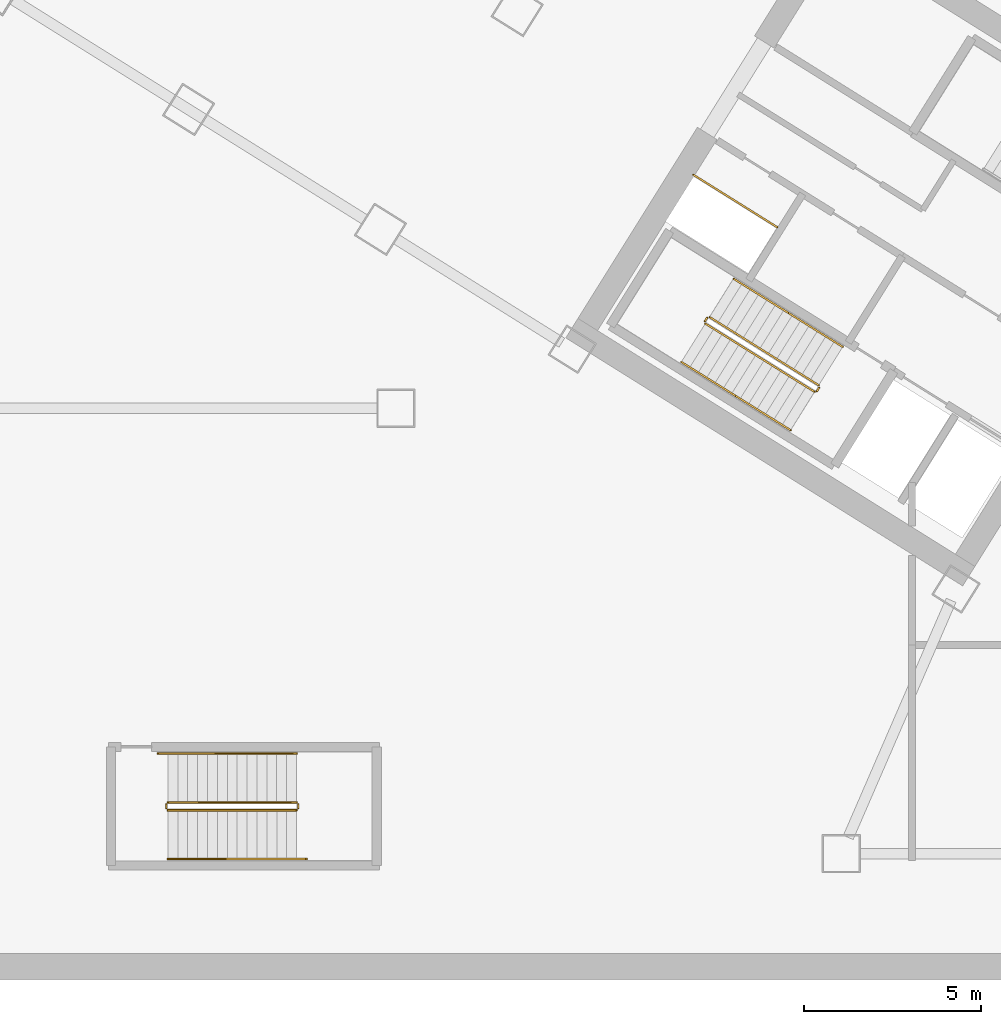
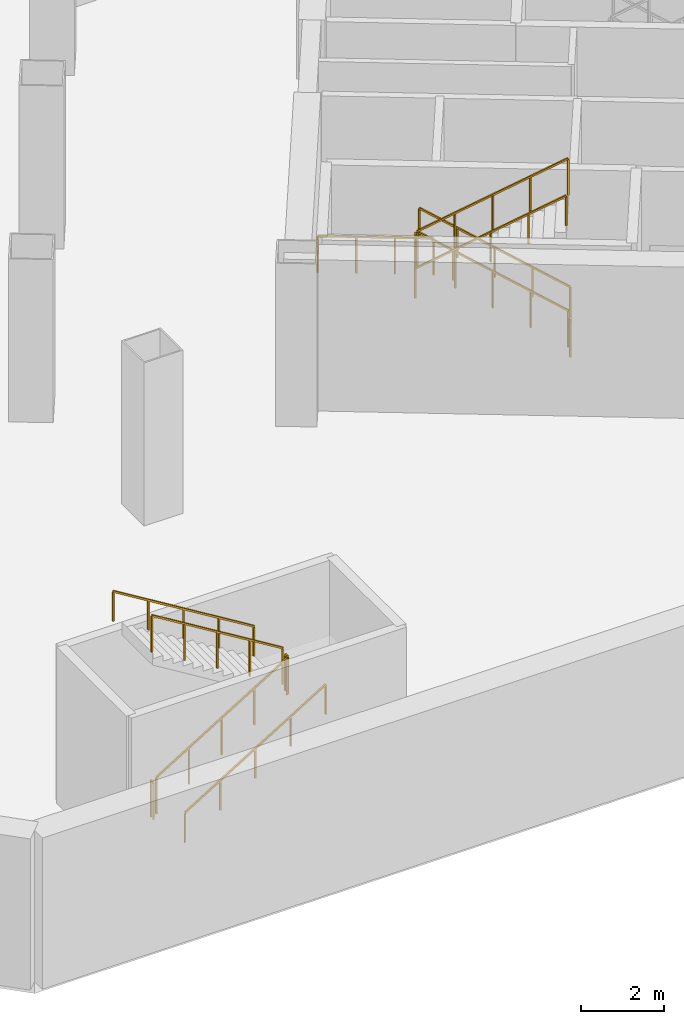
# One storey, part 6 of 9: 15 railings.
"""IFC4 building model written with IfcOpenShell, lengths in metres."""

from ifc_helpers import new_model, si_unit, direction, frame, origin, origin_2d, place, context, subcontext, project, spatial, rectangle, extrude, source, transform, mapped, material, type_object, element, save


model = new_model("IFC4")

# Units and contexts
model_context = context("Model", 3, precision=1e-05, world=origin(), true_north=direction((0.0, 1.0)))
body_context = subcontext(model_context, "Body", "Model", "MODEL_VIEW")
ifc_project = project(units=[si_unit("LENGTHUNIT", "METRE"), si_unit("AREAUNIT", "SQUARE_METRE"), si_unit("VOLUMEUNIT", "CUBIC_METRE"), si_unit("PLANEANGLEUNIT", "RADIAN"), si_unit("MASSUNIT", "GRAM", prefix="KILO")], contexts=[model_context])

# Site, building, storey
site_placement = place(None, origin())
site = spatial("IfcSite", under=ifc_project, at=site_placement, CompositionType="ELEMENT")
building_placement = place(site_placement, origin())
building = spatial("IfcBuilding", under=site, at=building_placement, Name="Tlacorven Tower", CompositionType="ELEMENT")
storey_placement = place(building_placement, frame((0.0, 0.0, -4.800048828125)))
storey = spatial("IfcBuildingStorey", under=building, at=storey_placement, Name="B1", CompositionType="ELEMENT", Elevation=-4.800048828125)

# Railings
ifc_material = material(Name="Aluminium and painted steel balustrade", Category="steel")
railing_type_1 = type_object("IfcRailingType", Name="RL-GRD-1100", PredefinedType="GUARDRAIL", material=ifc_material)
shared_shape_1 = source(origin(), body_context, "Body", "SweptSolid", [
    extrude(rectangle(XDim=0.048095703125, YDim=0.048095703125, at=origin_2d()), frame((0.0, 0.0, 1.076171875), z_axis=(-0.848091358275, 0.529850024081, 0.0), x_axis=(-0.529850024081, -0.848091358275, 0.0)), (0.0, 0.0, 1.0), 2.800048828125),
    extrude(rectangle(XDim=0.0419921875, YDim=0.0419921875, at=origin_2d()), origin(), (0.0, 0.0, 1.0), 1.052001953125),
    extrude(rectangle(XDim=0.0419921875, YDim=0.0419921875, at=origin_2d()), frame((-0.79150390625, 0.49462890625, 0.0)), (0.0, 0.0, 1.0), 1.052001953125),
    extrude(rectangle(XDim=0.0419921875, YDim=0.0419921875, at=origin_2d()), frame((-1.583251953125, 0.989013671875, 0.0)), (0.0, 0.0, 1.0), 1.052001953125),
    extrude(rectangle(XDim=0.0419921875, YDim=0.0419921875, at=origin_2d()), frame((-2.374755859375, 1.483642578125, 0.0)), (0.0, 0.0, 1.0), 1.052001953125),
])
railing_1_placement = place(storey_placement, frame((27.9912109375, 22.32080078125, 0.0)))
element("IfcRailing", 1, at=railing_1_placement, inside=storey, type_object=railing_type_1, Name="B1 Electrical Riser W Shaft Guard 1", PredefinedType="GUARDRAIL", context=body_context, shape_type="MappedRepresentation", body=[
    mapped(shared_shape_1, transform((0.0, 0.0, 0.0), scale=1.0)),
])
shared_shape_2 = source(origin(), body_context, "Body", "SweptSolid", [
    extrude(rectangle(XDim=0.048095703125, YDim=0.048095703125, at=origin_2d()), frame((0.0, 0.0, 1.076171875), z_axis=(-0.529084052582, -0.848569422795, 0.0), x_axis=(0.848569422795, -0.529084052582, 0.0)), (0.0, 0.0, 1.0), 0.119873046875),
    extrude(rectangle(XDim=0.0419921875, YDim=0.0419921875, at=origin_2d()), origin(), (0.0, 0.0, 1.0), 1.052001953125),
    extrude(rectangle(XDim=0.0419921875, YDim=0.0419921875, at=origin_2d()), frame((-0.0634765625, -0.101806640625, 0.0)), (0.0, 0.0, 1.0), 1.052001953125),
])
for number, where, name in (
    (2, (26.0048828125, 19.764892578125, 2.400146484375), "B1 ST-W1 stair guard 2"),
    (3, (29.176513671875, 17.782958984375, 0.0), "B1 ST-W1 stair guard 4"),
):
    element("IfcRailing", number, at=place(storey_placement, frame(where)), inside=storey, type_object=railing_type_1, Name=name, PredefinedType="GUARDRAIL", context=body_context, shape_type="MappedRepresentation", body=[
        mapped(shared_shape_2, transform((0.0, 0.0, 0.0), scale=1.0)),
    ])
shared_shape_3 = source(origin(), body_context, "Body", "SweptSolid", [
    extrude(rectangle(XDim=0.048095703125, YDim=0.048095703125, at=origin_2d()), frame((0.0, 0.0, 1.076171875), z_axis=(0.723262235119, -0.451953093932, 0.522139962209), x_axis=(0.529926592015, 0.848043517206, 0.0)), (0.0, 0.0, 1.0), 4.26806640625),
    extrude(rectangle(XDim=0.0419921875, YDim=0.0419921875, at=origin_2d()), origin(), (0.0, 0.0, 1.0), 1.052001953125),
    extrude(rectangle(XDim=0.0419921875, YDim=0.0419921875, at=origin_2d()), frame((0.771728515625, -0.482177734375, 0.55712890625)), (0.0, 0.0, 1.0), 1.052001953125),
    extrude(rectangle(XDim=0.0419921875, YDim=0.0419921875, at=origin_2d()), frame((1.54345703125, -0.96435546875, 1.1142578125)), (0.0, 0.0, 1.0), 1.052001953125),
    extrude(rectangle(XDim=0.0419921875, YDim=0.0419921875, at=origin_2d()), frame((2.315185546875, -1.44677734375, 1.67138671875)), (0.0, 0.0, 1.0), 1.052001953125),
    extrude(rectangle(XDim=0.0419921875, YDim=0.0419921875, at=origin_2d()), frame((3.0869140625, -1.928955078125, 2.228515625)), (0.0, 0.0, 1.0), 1.052001953125),
])
railing_2_placement = place(storey_placement, frame((25.957275390625, 19.59423828125, 2.571533203125)))
element("IfcRailing", 4, at=railing_2_placement, inside=storey, type_object=railing_type_1, Name="B1 ST-W1 stair guard 3", PredefinedType="GUARDRAIL", context=body_context, shape_type="MappedRepresentation", body=[
    mapped(shared_shape_3, transform((0.0, 0.0, 0.0), scale=1.0)),
])
railing_type_2 = type_object("IfcRailingType", Name="RL-HND-0900", PredefinedType="HANDRAIL", material=ifc_material)
shared_shape_4 = source(origin(), body_context, "Body", "SweptSolid", [
    extrude(rectangle(XDim=0.048095703125, YDim=0.048095703125, at=origin_2d()), frame((0.0, 0.0, 0.8759765625), z_axis=(-0.723243536433, 0.451998610004, 0.522126463189), x_axis=(-0.529974825293, -0.848013375222, 0.0)), (0.0, 0.0, 1.0), 2.134033203125),
    extrude(rectangle(XDim=0.0419921875, YDim=0.0419921875, at=origin_2d()), origin(), (0.0, 0.0, 1.0), 0.851806640625),
    extrude(rectangle(XDim=0.0419921875, YDim=0.0419921875, at=origin_2d()), frame((-0.771728515625, 0.482421875, 0.55712890625)), (0.0, 0.0, 1.0), 0.851806640625),
    extrude(rectangle(XDim=0.0419921875, YDim=0.0419921875, at=origin_2d()), frame((-1.54345703125, 0.964599609375, 1.1142578125)), (0.0, 0.0, 1.0), 0.851806640625),
])
railing_3_placement = place(storey_placement, frame((29.839111328125, 18.937255859375, 0.17138671875)))
element("IfcRailing", 5, at=railing_3_placement, inside=storey, type_object=railing_type_2, Name="B1 ST-W1 stair handrail 1", PredefinedType="HANDRAIL", context=body_context, shape_type="MappedRepresentation", body=[
    mapped(shared_shape_4, transform((0.0, 0.0, 0.0), scale=1.0)),
])
shared_shape_5 = source(origin(), body_context, "Body", "SweptSolid", [
    extrude(rectangle(XDim=0.048095703125, YDim=0.048095703125, at=origin_2d()), frame((0.0, 0.0, 0.8759765625), z_axis=(0.723243536433, -0.451998610004, 0.522126463189), x_axis=(0.529974825293, 0.848013375222, 0.0)), (0.0, 0.0, 1.0), 2.134033203125),
    extrude(rectangle(XDim=0.0419921875, YDim=0.0419921875, at=origin_2d()), origin(), (0.0, 0.0, 1.0), 0.851806640625),
    extrude(rectangle(XDim=0.0419921875, YDim=0.0419921875, at=origin_2d()), frame((0.771728515625, -0.482421875, 0.55712890625)), (0.0, 0.0, 1.0), 0.851806640625),
    extrude(rectangle(XDim=0.0419921875, YDim=0.0419921875, at=origin_2d()), frame((1.54345703125, -0.964599609375, 1.1142578125)), (0.0, 0.0, 1.0), 0.851806640625),
])
railing_4_placement = place(storey_placement, frame((25.27880859375, 18.5087890625, 2.571533203125)))
element("IfcRailing", 6, at=railing_4_placement, inside=storey, type_object=railing_type_2, Name="B1 ST-W1 stair handrail 3", PredefinedType="HANDRAIL", context=body_context, shape_type="MappedRepresentation", body=[
    mapped(shared_shape_5, transform((0.0, 0.0, 0.0), scale=1.0)),
])
shared_shape_6 = source(origin(), body_context, "Body", "SweptSolid", [
    extrude(rectangle(XDim=0.048095703125, YDim=0.048095703125, at=origin_2d()), frame((0.0, 0.0, 0.8759765625), z_axis=(0.723280932889, -0.45190757433, 0.522153460567), x_axis=(0.529878353595, 0.848073658589, 0.0)), (0.0, 0.0, 1.0), 2.134033203125),
    extrude(rectangle(XDim=0.0419921875, YDim=0.0419921875, at=origin_2d()), origin(), (0.0, 0.0, 1.0), 0.851806640625),
    extrude(rectangle(XDim=0.0419921875, YDim=0.0419921875, at=origin_2d()), frame((0.771728515625, -0.482177734375, 0.55712890625)), (0.0, 0.0, 1.0), 0.851806640625),
    extrude(rectangle(XDim=0.0419921875, YDim=0.0419921875, at=origin_2d()), frame((1.54345703125, -0.96435546875, 1.1142578125)), (0.0, 0.0, 1.0), 0.851806640625),
])
railing_5_placement = place(storey_placement, frame((26.822265625, 17.544189453125, 3.685791015625)))
element("IfcRailing", 7, at=railing_5_placement, inside=storey, type_object=railing_type_2, Name="B1 ST-W1 stair handrail 4", PredefinedType="HANDRAIL", context=body_context, shape_type="MappedRepresentation", body=[
    mapped(shared_shape_6, transform((0.0, 0.0, 0.0), scale=1.0)),
])
shared_shape_7 = source(origin(), body_context, "Body", "SweptSolid", [
    extrude(rectangle(XDim=0.048095703125, YDim=0.048095703125, at=origin_2d()), frame((0.0, 0.0, 1.076171875), z_axis=(-0.723240632901, 0.451939595108, 0.522181567364), x_axis=(-0.529926592015, -0.848043517206, 0.0)), (0.0, 0.0, 1.0), 4.26806640625),
    extrude(rectangle(XDim=0.0419921875, YDim=0.0419921875, at=origin_2d()), origin(), (0.0, 0.0, 1.0), 1.052001953125),
    extrude(rectangle(XDim=0.0419921875, YDim=0.0419921875, at=origin_2d()), frame((-0.771728515625, 0.482177734375, 0.55712890625)), (0.0, 0.0, 1.0), 1.052001953125),
    extrude(rectangle(XDim=0.0419921875, YDim=0.0419921875, at=origin_2d()), frame((-1.54345703125, 0.96435546875, 1.1142578125)), (0.0, 0.0, 1.0), 1.052001953125),
    extrude(rectangle(XDim=0.0419921875, YDim=0.0419921875, at=origin_2d()), frame((-2.315185546875, 1.44677734375, 1.671630859375)), (0.0, 0.0, 1.0), 1.052001953125),
    extrude(rectangle(XDim=0.0419921875, YDim=0.0419921875, at=origin_2d()), frame((-3.0869140625, 1.928955078125, 2.228759765625)), (0.0, 0.0, 1.0), 1.052001953125),
])
railing_6_placement = place(storey_placement, frame((29.16064453125, 17.851806640625, 0.17138671875)))
element("IfcRailing", 8, at=railing_6_placement, inside=storey, type_object=railing_type_1, Name="B1 ST-W1 stair guard 1", PredefinedType="GUARDRAIL", context=body_context, shape_type="MappedRepresentation", body=[
    mapped(shared_shape_7, transform((0.0, 0.0, 0.0), scale=1.0)),
])
shared_shape_8 = source(origin(), body_context, "Body", "SweptSolid", [
    extrude(rectangle(XDim=0.048095703125, YDim=0.048095703125, at=origin_2d()), frame((0.0, 0.0, 0.8759765625), z_axis=(-0.723237724671, 0.451880577736, 0.522236667688), x_axis=(-0.529878353595, -0.848073658589, 0.0)), (0.0, 0.0, 1.0), 2.134033203125),
    extrude(rectangle(XDim=0.0419921875, YDim=0.0419921875, at=origin_2d()), origin(), (0.0, 0.0, 1.0), 0.851806640625),
    extrude(rectangle(XDim=0.0419921875, YDim=0.0419921875, at=origin_2d()), frame((-0.771728515625, 0.482177734375, 0.55712890625)), (0.0, 0.0, 1.0), 0.851806640625),
    extrude(rectangle(XDim=0.0419921875, YDim=0.0419921875, at=origin_2d()), frame((-1.54345703125, 0.96435546875, 1.114501953125)), (0.0, 0.0, 1.0), 0.851806640625),
])
railing_7_placement = place(storey_placement, frame((28.295654296875, 19.90185546875, 1.28564453125)))
element("IfcRailing", 9, at=railing_7_placement, inside=storey, type_object=railing_type_2, Name="B1 ST-W1 stair handrail 2", PredefinedType="HANDRAIL", context=body_context, shape_type="MappedRepresentation", body=[
    mapped(shared_shape_8, transform((0.0, 0.0, 0.0), scale=1.0)),
])
shared_shape_9 = source(origin(), body_context, "Body", "SweptSolid", [
    extrude(rectangle(XDim=0.048095703125, YDim=0.048095703125, at=origin_2d()), frame((0.0, 0.0, 1.076171875), z_axis=(0.0, 1.0, 0.0), x_axis=(-1.0, 0.0, 0.0)), (0.0, 0.0, 1.0), 0.1201171875),
    extrude(rectangle(XDim=0.0419921875, YDim=0.0419921875, at=origin_2d()), origin(), (0.0, 0.0, 1.0), 1.052001953125),
    extrude(rectangle(XDim=0.0419921875, YDim=0.0419921875, at=origin_2d()), frame((0.0, 0.1201171875, 0.0)), (0.0, 0.0, 1.0), 1.052001953125),
])
for number, where, name in (
    (10, (14.43994140625, 5.8798828125, 2.400146484375), "B1 ST-P1 stair guard 2"),
    (11, (10.699951171875, 5.8798828125, 0.0), "B1 ST-P1 stair guard 4"),
):
    element("IfcRailing", number, at=place(storey_placement, frame(where)), inside=storey, type_object=railing_type_1, Name=name, PredefinedType="GUARDRAIL", context=body_context, shape_type="MappedRepresentation", body=[
        mapped(shared_shape_9, transform((0.0, 0.0, 0.0), scale=1.0)),
    ])
shared_shape_10 = source(origin(), body_context, "Body", "SweptSolid", [
    extrude(rectangle(XDim=0.048095703125, YDim=0.048095703125, at=origin_2d()), frame((0.0, 0.0, 1.076171875), z_axis=(-0.852850264322, 0.0, 0.5221555579), x_axis=(0.0, -1.0, 0.0)), (0.0, 0.0, 1.0), 4.267822265625),
    extrude(rectangle(XDim=0.0419921875, YDim=0.0419921875, at=origin_2d()), origin(), (0.0, 0.0, 1.0), 1.052001953125),
    extrude(rectangle(XDim=0.0419921875, YDim=0.0419921875, at=origin_2d()), frame((-0.909912109375, 0.0, 0.55712890625)), (0.0, 0.0, 1.0), 1.052001953125),
    extrude(rectangle(XDim=0.0419921875, YDim=0.0419921875, at=origin_2d()), frame((-1.81982421875, 0.0, 1.1142578125)), (0.0, 0.0, 1.0), 1.052001953125),
    extrude(rectangle(XDim=0.0419921875, YDim=0.0419921875, at=origin_2d()), frame((-2.72998046875, 0.0, 1.67138671875)), (0.0, 0.0, 1.0), 1.052001953125),
    extrude(rectangle(XDim=0.0419921875, YDim=0.0419921875, at=origin_2d()), frame((-3.639892578125, 0.0, 2.228515625)), (0.0, 0.0, 1.0), 1.052001953125),
])
railing_8_placement = place(storey_placement, frame((14.389892578125, 6.050048828125, 2.571533203125)))
element("IfcRailing", 12, at=railing_8_placement, inside=storey, type_object=railing_type_1, Name="B1 ST-P1 stair guard 3", PredefinedType="GUARDRAIL", context=body_context, shape_type="MappedRepresentation", body=[
    mapped(shared_shape_10, transform((0.0, 0.0, 0.0), scale=1.0)),
])
shared_shape_11 = source(origin(), body_context, "Body", "SweptSolid", [
    extrude(rectangle(XDim=0.048095703125, YDim=0.048095703125, at=origin_2d()), frame((0.0, 0.0, 0.8759765625), z_axis=(-0.852856131449, 0.0, 0.522145974847), x_axis=(0.0, -1.0, 0.0)), (0.0, 0.0, 1.0), 4.59619140625),
    extrude(rectangle(XDim=0.0419921875, YDim=0.0419921875, at=origin_2d()), origin(), (0.0, 0.0, 1.0), 0.851806640625),
    extrude(rectangle(XDim=0.0419921875, YDim=0.0419921875, at=origin_2d()), frame((-0.97998046875, 0.0, 0.60009765625)), (0.0, 0.0, 1.0), 0.851806640625),
    extrude(rectangle(XDim=0.0419921875, YDim=0.0419921875, at=origin_2d()), frame((-1.9599609375, 0.0, 1.199951171875)), (0.0, 0.0, 1.0), 0.851806640625),
    extrude(rectangle(XDim=0.0419921875, YDim=0.0419921875, at=origin_2d()), frame((-2.93994140625, 0.0, 1.7998046875)), (0.0, 0.0, 1.0), 0.851806640625),
    extrude(rectangle(XDim=0.0419921875, YDim=0.0419921875, at=origin_2d()), frame((-3.919921875, 0.0, 2.39990234375)), (0.0, 0.0, 1.0), 0.851806640625),
])
railing_9_placement = place(storey_placement, frame((14.389892578125, 7.429931640625, 2.571533203125)))
element("IfcRailing", 13, at=railing_9_placement, inside=storey, type_object=railing_type_2, Name="B1 ST-P1 stair handrail 2", PredefinedType="HANDRAIL", context=body_context, shape_type="MappedRepresentation", body=[
    mapped(shared_shape_11, transform((0.0, 0.0, 0.0), scale=1.0)),
])
shared_shape_12 = source(origin(), body_context, "Body", "SweptSolid", [
    extrude(rectangle(XDim=0.048095703125, YDim=0.048095703125, at=origin_2d()), frame((0.0, 0.0, 1.076171875), z_axis=(0.852824790078, 0.0, 0.522197163366), x_axis=(0.0, 1.0, 0.0)), (0.0, 0.0, 1.0), 4.26806640625),
    extrude(rectangle(XDim=0.0419921875, YDim=0.0419921875, at=origin_2d()), origin(), (0.0, 0.0, 1.0), 1.052001953125),
    extrude(rectangle(XDim=0.0419921875, YDim=0.0419921875, at=origin_2d()), frame((0.909912109375, 0.0, 0.55712890625)), (0.0, 0.0, 1.0), 1.052001953125),
    extrude(rectangle(XDim=0.0419921875, YDim=0.0419921875, at=origin_2d()), frame((1.81982421875, 0.0, 1.1142578125)), (0.0, 0.0, 1.0), 1.052001953125),
    extrude(rectangle(XDim=0.0419921875, YDim=0.0419921875, at=origin_2d()), frame((2.72998046875, 0.0, 1.671630859375)), (0.0, 0.0, 1.0), 1.052001953125),
    extrude(rectangle(XDim=0.0419921875, YDim=0.0419921875, at=origin_2d()), frame((3.639892578125, 0.0, 2.228759765625)), (0.0, 0.0, 1.0), 1.052001953125),
])
railing_10_placement = place(storey_placement, frame((10.75, 5.830078125, 0.17138671875)))
element("IfcRailing", 14, at=railing_10_placement, inside=storey, type_object=railing_type_1, Name="B1 ST-P1 stair guard 1", PredefinedType="GUARDRAIL", context=body_context, shape_type="MappedRepresentation", body=[
    mapped(shared_shape_12, transform((0.0, 0.0, 0.0), scale=1.0)),
])
shared_shape_13 = source(origin(), body_context, "Body", "SweptSolid", [
    extrude(rectangle(XDim=0.048095703125, YDim=0.048095703125, at=origin_2d()), frame((0.0, 0.0, 0.8759765625), z_axis=(0.852832477147, 0.0, 0.522184609045), x_axis=(0.0, 1.0, 0.0)), (0.0, 0.0, 1.0), 4.596435546875),
    extrude(rectangle(XDim=0.0419921875, YDim=0.0419921875, at=origin_2d()), origin(), (0.0, 0.0, 1.0), 0.851806640625),
    extrude(rectangle(XDim=0.0419921875, YDim=0.0419921875, at=origin_2d()), frame((0.97998046875, 0.0, 0.60009765625)), (0.0, 0.0, 1.0), 0.851806640625),
    extrude(rectangle(XDim=0.0419921875, YDim=0.0419921875, at=origin_2d()), frame((1.9599609375, 0.0, 1.2001953125)), (0.0, 0.0, 1.0), 0.851806640625),
    extrude(rectangle(XDim=0.0419921875, YDim=0.0419921875, at=origin_2d()), frame((2.93994140625, 0.0, 1.800048828125)), (0.0, 0.0, 1.0), 0.851806640625),
    extrude(rectangle(XDim=0.0419921875, YDim=0.0419921875, at=origin_2d()), frame((3.919921875, 0.0, 2.400146484375)), (0.0, 0.0, 1.0), 0.851806640625),
])
railing_11_placement = place(storey_placement, frame((10.75, 4.449951171875, 0.17138671875)))
element("IfcRailing", 15, at=railing_11_placement, inside=storey, type_object=railing_type_2, Name="B1 ST-P1 stair handrail 1", PredefinedType="HANDRAIL", context=body_context, shape_type="MappedRepresentation", body=[
    mapped(shared_shape_13, transform((0.0, 0.0, 0.0), scale=1.0)),
])

save(model, "model.ifc")
